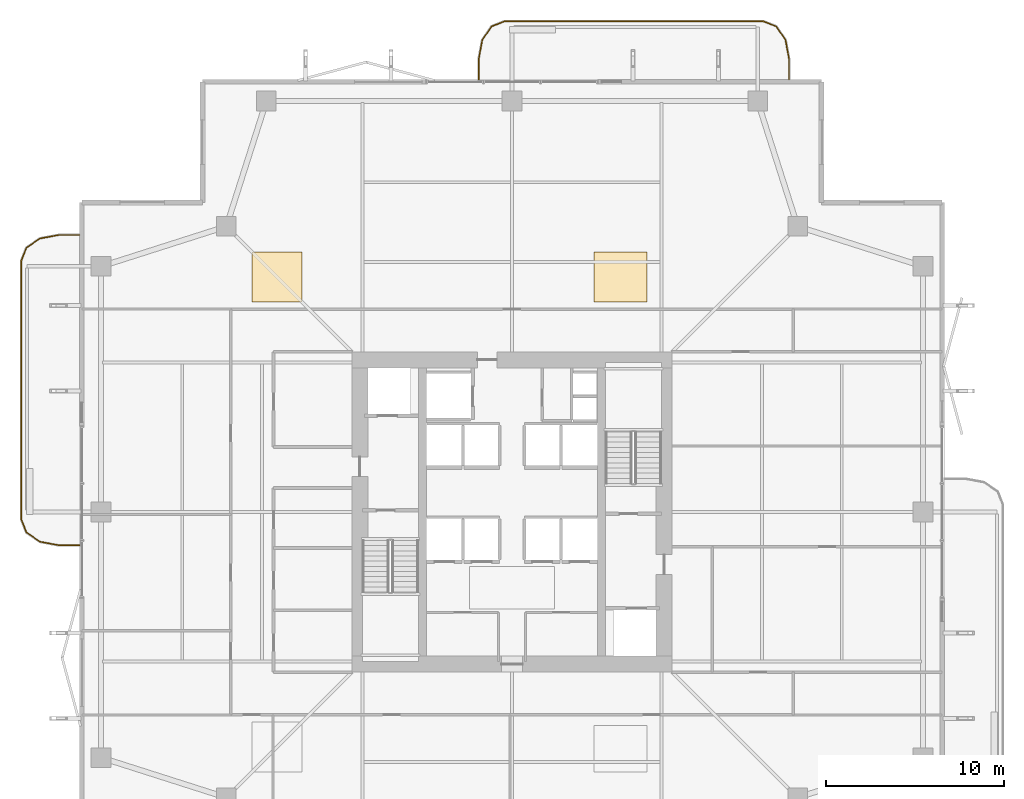
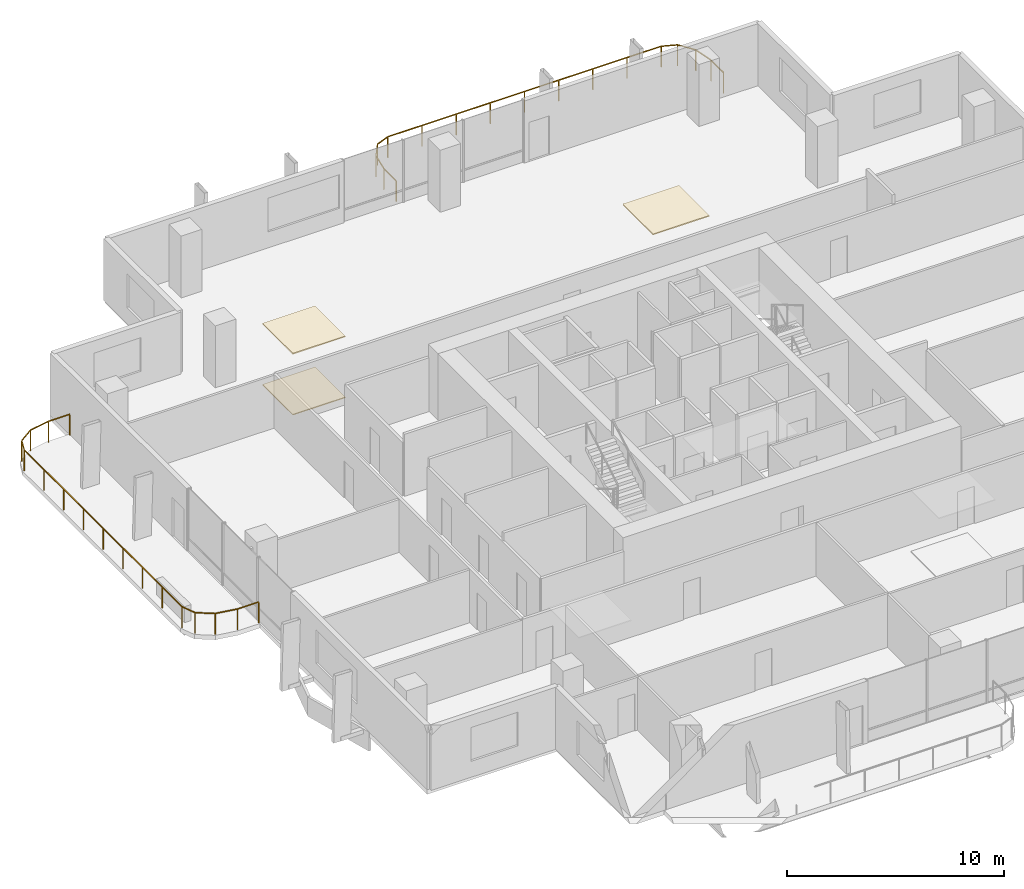
# One storey, part 25 of 25: 3 coverings, 2 railings.
"""IFC4 building model written with IfcOpenShell, lengths in metres."""

import ifcopenshell
import ifcopenshell.guid

model = None  # the IFC model being written
_history = None  # IfcOwnerHistory: only IFC2X3 demands one
_inside = {}  # id of a spatial element -> (the spatial element, [elements in it])
_under = {}  # id of a project, library or spatial element -> (it, [spatial elements below it])
_declared = {}  # id of a project -> (the project, [libraries it declares])
_typed = {}  # id of a type object -> (the type object, [elements of that type])
_made_of = {}  # id of a material, layer set ... -> (it, [elements and type objects made of it])


def new_model(schema):
    """Start an empty IFC model of exactly this schema.

    Asked for "IFC4X3", IfcOpenShell would pick the latest addendum, in which some entities
    have other attributes; the version numbers below select the first issue.
    IFC2X3 requires an IfcOwnerHistory on every rooted entity: one is made here for all.
    """
    global model, _history
    if schema == "IFC4X3":
        model = ifcopenshell.file(schema_version=(4, 3, 0, 0))
    else:
        model = ifcopenshell.file(schema=schema)
    _inside.clear()
    _under.clear()
    _declared.clear()
    _typed.clear()
    _made_of.clear()
    _history = None
    if model.schema == "IFC2X3":
        org = make("IfcOrganization", Name="unknown")
        user = make(
            "IfcPersonAndOrganization",
            ThePerson=make("IfcPerson", FamilyName="unknown"),
            TheOrganization=org,
        )
        app = make(
            "IfcApplication",
            ApplicationDeveloper=org,
            Version="unknown",
            ApplicationFullName="unknown",
            ApplicationIdentifier="unknown",
        )
        _history = make(
            "IfcOwnerHistory",
            OwningUser=user,
            OwningApplication=app,
            ChangeAction="ADDED",
            CreationDate=0,
        )
    return model


def make(cls, **values):
    """One entity of the class cls with the attributes given. An attribute that is None is left unset."""
    return model.create_entity(
        cls, **{name: value for name, value in values.items() if value is not None}
    )


def rooted(cls, **values):
    """An entity with a GlobalId (a new one), such as an element, a storey or a relation."""
    return make(cls, GlobalId=ifcopenshell.guid.new(), OwnerHistory=_history, **values)


def si_unit(unit_type, name, prefix=None):
    """IfcSIUnit, for example si_unit("LENGTHUNIT", "METRE", prefix="MILLI")."""
    return make("IfcSIUnit", UnitType=unit_type, Prefix=prefix, Name=name)


def assignment(units):
    """IfcUnitAssignment: the units of a project."""
    return None if units is None else make("IfcUnitAssignment", Units=units)


def point(xyz):
    """IfcCartesianPoint."""
    return None if xyz is None else make("IfcCartesianPoint", Coordinates=xyz)


def direction(xyz):
    """IfcDirection."""
    return None if xyz is None else make("IfcDirection", DirectionRatios=xyz)


def frame(location, z_axis=None, x_axis=None):
    """IfcAxis2Placement3D, a coordinate frame: its origin and axes. An axis left out is left unset."""
    return make(
        "IfcAxis2Placement3D",
        Location=point(location),
        Axis=direction(z_axis),
        RefDirection=direction(x_axis),
    )


def frame_2d(location, x_axis=None):
    """IfcAxis2Placement2D, a coordinate frame in the plane: its origin and x axis."""
    return make(
        "IfcAxis2Placement2D", Location=point(location), RefDirection=direction(x_axis)
    )


def origin():
    """The frame at (0, 0, 0) with its axes left unset."""
    return frame((0.0, 0.0, 0.0))


def origin_2d():
    """The frame at (0, 0) in the plane with its x axis left unset."""
    return frame_2d((0.0, 0.0))


def place(relative_to, where):
    """IfcLocalPlacement: puts the frame where relative to a parent placement (None: the world)."""
    return make(
        "IfcLocalPlacement", PlacementRelTo=relative_to, RelativePlacement=where
    )


def context(
    kind, dimensions, precision=None, world=None, true_north=None, identifier=None
):
    """IfcGeometricRepresentationContext, for example the 3D "Model" context."""
    return make(
        "IfcGeometricRepresentationContext",
        ContextIdentifier=identifier,
        ContextType=kind,
        CoordinateSpaceDimension=dimensions,
        Precision=precision,
        WorldCoordinateSystem=world,
        TrueNorth=true_north,
    )


def subcontext(parent, identifier, kind, view, scale=None):
    """IfcGeometricRepresentationSubContext, for example "Body" below "Model"."""
    return make(
        "IfcGeometricRepresentationSubContext",
        ContextIdentifier=identifier,
        ContextType=kind,
        ParentContext=parent,
        TargetScale=scale,
        TargetView=view,
    )


def project(units=None, contexts=None):
    """IfcProject with its units and contexts."""
    return rooted(
        "IfcProject",
        Name="project",
        RepresentationContexts=contexts,
        UnitsInContext=assignment(units),
    )


def spatial(cls, under=None, at=None, **own):
    """A site, building, storey or space (cls), placed at a placement, below another one or the project."""
    s = rooted(cls, ObjectPlacement=at, **own)
    if under is not None:
        _under.setdefault(under.id(), (under, []))[1].append(s)
    return s


def polyline(points):
    """IfcPolyline through the points."""
    return make("IfcPolyline", Points=[point(p) for p in points])


def profile(cls, at=None, kind="AREA", **sizes):
    """A parametric profile (cls). Its sizes go by their IFC names, for example OverallWidth=200.0."""
    return make(cls, ProfileType=kind, Position=at, **sizes)


def rectangle(**sizes):
    """IfcRectangleProfileDef."""
    return profile("IfcRectangleProfileDef", **sizes)


def outline(outer, holes=None, kind="AREA"):
    """IfcArbitraryClosedProfileDef: a profile drawn as a closed curve; with holes, ...WithVoids."""
    if holes is None:
        return make("IfcArbitraryClosedProfileDef", ProfileType=kind, OuterCurve=outer)
    return make(
        "IfcArbitraryProfileDefWithVoids",
        ProfileType=kind,
        OuterCurve=outer,
        InnerCurves=holes,
    )


def extrude(swept, where, along, depth):
    """IfcExtrudedAreaSolid: the profile swept, set in the frame where, extruded along a direction by depth."""
    return make(
        "IfcExtrudedAreaSolid",
        SweptArea=swept,
        Position=where,
        ExtrudedDirection=direction(along),
        Depth=depth,
    )


def shape(context_of_items, identifier, shape_type, items):
    """IfcShapeRepresentation: the items that make up one representation, for example the "Body"."""
    return make(
        "IfcShapeRepresentation",
        ContextOfItems=context_of_items,
        RepresentationIdentifier=identifier,
        RepresentationType=shape_type,
        Items=items,
    )


def material(Name=None, Category=None):
    """IfcMaterial."""
    return make("IfcMaterial", Name=Name, Category=Category)


def layer(
    of_material, thickness, ventilated=None, Name=None, Category=None, Priority=None
):
    """IfcMaterialLayer: one layer of a wall or slab, of a material (None: an air gap)."""
    return make(
        "IfcMaterialLayer",
        Material=of_material,
        LayerThickness=thickness,
        IsVentilated=ventilated,
        Name=Name,
        Category=Category,
        Priority=Priority,
    )


def layer_set(layers, Name=None):
    """IfcMaterialLayerSet."""
    return make("IfcMaterialLayerSet", MaterialLayers=layers, LayerSetName=Name)


def made_of(thing, what):
    """Note that an element or type object is made of a material, layer set ...; save() writes the relation."""
    if what is not None:
        _made_of.setdefault(what.id(), (what, []))[1].append(thing)
    return thing


def type_object(cls, material=None, **own):
    """A type object (cls), such as IfcWallType, which elements share."""
    return made_of(rooted(cls, **own), material)


def element(
    cls,
    number,
    at=None,
    inside=None,
    cuts=None,
    type_object=None,
    material=None,
    context=None,
    identifier="Body",
    shape_type=None,
    held_by="IfcProductDefinitionShape",
    body=None,
    shapes=None,
    **own,
):
    """One element of the class cls, such as IfcWall. Its Tag is "e" and its number.

    at: its placement. inside: the storey or other place that contains it. cuts: it is an
    opening in that element (IfcRelVoidsElement). A single representation is given by context,
    identifier, shape_type and body (its items); several are given by shapes. held_by: the class
    of the entity that holds the representations. save() writes the other relations.
    """
    e = rooted(cls, Tag="e%d" % number, ObjectPlacement=at, **own)
    if body is not None:
        shapes = [shape(context, identifier, shape_type, body)]
    if shapes is not None:
        e.Representation = make(held_by, Representations=shapes)
    if inside is not None:
        _inside.setdefault(inside.id(), (inside, []))[1].append(e)
    if cuts is not None:
        rooted(
            "IfcRelVoidsElement", RelatingBuildingElement=cuts, RelatedOpeningElement=e
        )
    if type_object is not None:
        _typed.setdefault(type_object.id(), (type_object, []))[1].append(e)
    return made_of(e, material)


def aggregate(whole, parts):
    """IfcRelAggregates: a whole, such as a stair, and the parts it consists of."""
    return rooted("IfcRelAggregates", RelatingObject=whole, RelatedObjects=parts)


def save(model, path):
    """Write the relations noted so far, then the file.

    IfcRelAggregates (storeys below a building ...), IfcRelContainedInSpatialStructure (elements
    in a storey), IfcRelDefinesByType, IfcRelAssociatesMaterial and IfcRelDeclares: one each for
    every whole, place, type object, material and project.
    """
    for whole, parts in _under.values():
        aggregate(whole, parts)
    for where, things in _inside.values():
        rooted(
            "IfcRelContainedInSpatialStructure",
            RelatedElements=things,
            RelatingStructure=where,
        )
    for kind, things in _typed.values():
        rooted("IfcRelDefinesByType", RelatedObjects=things, RelatingType=kind)
    for what, things in _made_of.values():
        rooted("IfcRelAssociatesMaterial", RelatedObjects=things, RelatingMaterial=what)
    for by, libraries in _declared.values():
        rooted("IfcRelDeclares", RelatingContext=by, RelatedDefinitions=libraries)
    model.write(path)


model = new_model("IFC4")

# Units and contexts
model_context = context("Model", 3, precision=1e-05, world=origin(), true_north=direction((0.0, 1.0)))
body_context = subcontext(model_context, "Body", "Model", "MODEL_VIEW")
ifc_project = project(units=[si_unit("LENGTHUNIT", "METRE"), si_unit("AREAUNIT", "SQUARE_METRE"), si_unit("VOLUMEUNIT", "CUBIC_METRE"), si_unit("PLANEANGLEUNIT", "RADIAN"), si_unit("MASSUNIT", "GRAM", prefix="KILO")], contexts=[model_context])

# Site, building, storey
site_placement = place(None, origin())
site = spatial("IfcSite", under=ifc_project, at=site_placement, CompositionType="ELEMENT")
building_placement = place(site_placement, origin())
building = spatial("IfcBuilding", under=site, at=building_placement, Name="Belovzor Exchange Tower", CompositionType="ELEMENT")
storey_placement = place(building_placement, frame((0.0, 0.0, 160.800048828125)))
storey = spatial("IfcBuildingStorey", under=building, at=storey_placement, Name="L39", CompositionType="ELEMENT", Elevation=160.800048828125)

# Railings
ifc_material_1 = material(Name="Stainless Steel and Laminated Safety Glass", Category="steel")
railing_type = type_object("IfcRailingType", Name="Laminated Glass & Stainless Steel Balcony Balustrade 1200", PredefinedType="BALUSTRADE", material=ifc_material_1)
railing_1_placement = place(storey_placement, frame((44.3701171875, 53.110107421875, 0.0)))
element("IfcRailing", 1, at=railing_1_placement, inside=storey, type_object=railing_type, Name="GR-1 Balcony Balustrade L39 North", PredefinedType="BALUSTRADE", context=body_context, shape_type="SweptSolid", body=[
    extrude(rectangle(XDim=0.048095703125, YDim=0.048095703125, at=origin_2d()), frame((0.0, 0.0, 1.17578125), z_axis=(0.0, 1.0, 0.0), x_axis=(-1.0, 0.0, 0.0)), (0.0, 0.0, 1.0), 1.1328125),
    extrude(rectangle(XDim=0.048095703125, YDim=0.048095703125, at=origin_2d()), frame((0.0, 1.1328125, 1.17578125), z_axis=(-0.180083182347, 0.983651385113, 0.0), x_axis=(-0.983651385113, -0.180083182347, 0.0)), (0.0, 0.0, 1.0), 1.093994140625),
    extrude(rectangle(XDim=0.048095703125, YDim=0.048095703125, at=origin_2d()), frame((-0.197021484375, 2.208984375, 1.17578125), z_axis=(-0.56294695933, 0.826493025367, 0.0), x_axis=(-0.826493025367, -0.56294695933, 0.0)), (0.0, 0.0, 1.0), 0.932861328125),
    extrude(rectangle(XDim=0.048095703125, YDim=0.048095703125, at=origin_2d()), frame((-0.72216796875, 2.97998046875, 1.17578125), z_axis=(-0.930766990125, 0.365612923861, 0.0), x_axis=(-0.365612923861, -0.930766990125, 0.0)), (0.0, 0.0, 1.0), 0.765869140625),
    extrude(rectangle(XDim=0.048095703125, YDim=0.048095703125, at=origin_2d()), frame((-1.43505859375, 3.260009765625, 1.17578125), z_axis=(-1.0, 0.0, 0.0), x_axis=(0.0, -1.0, 0.0)), (0.0, 0.0, 1.0), 14.570068359375),
    extrude(rectangle(XDim=0.048095703125, YDim=0.048095703125, at=origin_2d()), frame((-16.005126953125, 3.260009765625, 1.17578125), z_axis=(-0.930766990125, -0.365612923861, 0.0), x_axis=(0.365612923861, -0.930766990125, 0.0)), (0.0, 0.0, 1.0), 0.765869140625),
    extrude(rectangle(XDim=0.048095703125, YDim=0.048095703125, at=origin_2d()), frame((-16.718017578125, 2.97998046875, 1.17578125), z_axis=(-0.56294695933, -0.826493025367, 0.0), x_axis=(0.826493025367, -0.56294695933, 0.0)), (0.0, 0.0, 1.0), 0.932861328125),
    extrude(rectangle(XDim=0.048095703125, YDim=0.048095703125, at=origin_2d()), frame((-17.2431640625, 2.208984375, 1.17578125), z_axis=(-0.180083182347, -0.983651385113, 0.0), x_axis=(0.983651385113, -0.180083182347, 0.0)), (0.0, 0.0, 1.0), 1.093994140625),
    extrude(rectangle(XDim=0.048095703125, YDim=0.048095703125, at=origin_2d()), frame((-17.440185546875, 1.1328125, 1.17578125), z_axis=(0.0, -1.0, 0.0), x_axis=(1.0, 0.0, 0.0)), (0.0, 0.0, 1.0), 1.1328125),
    extrude(rectangle(XDim=0.0419921875, YDim=0.0419921875, at=origin_2d()), origin(), (0.0, 0.0, 1.0), 1.15185546875),
    extrude(rectangle(XDim=0.0419921875, YDim=0.0419921875, at=origin_2d()), frame((0.0, 1.1328125, 0.0)), (0.0, 0.0, 1.0), 1.15185546875),
    extrude(rectangle(XDim=0.0419921875, YDim=0.0419921875, at=origin_2d()), frame((-0.197021484375, 2.208984375, 0.0)), (0.0, 0.0, 1.0), 1.15185546875),
    extrude(rectangle(XDim=0.0419921875, YDim=0.0419921875, at=origin_2d()), frame((-0.72216796875, 2.97998046875, 0.0)), (0.0, 0.0, 1.0), 1.15185546875),
    extrude(rectangle(XDim=0.0419921875, YDim=0.0419921875, at=origin_2d()), frame((-1.43505859375, 3.260009765625, 0.0)), (0.0, 0.0, 1.0), 1.15185546875),
    extrude(rectangle(XDim=0.0419921875, YDim=0.0419921875, at=origin_2d()), frame((-3.25634765625, 3.260009765625, 0.0)), (0.0, 0.0, 1.0), 1.15185546875),
    extrude(rectangle(XDim=0.0419921875, YDim=0.0419921875, at=origin_2d()), frame((-5.07763671875, 3.260009765625, 0.0)), (0.0, 0.0, 1.0), 1.15185546875),
    extrude(rectangle(XDim=0.0419921875, YDim=0.0419921875, at=origin_2d()), frame((-6.89892578125, 3.260009765625, 0.0)), (0.0, 0.0, 1.0), 1.15185546875),
    extrude(rectangle(XDim=0.0419921875, YDim=0.0419921875, at=origin_2d()), frame((-8.72021484375, 3.260009765625, 0.0)), (0.0, 0.0, 1.0), 1.15185546875),
    extrude(rectangle(XDim=0.0419921875, YDim=0.0419921875, at=origin_2d()), frame((-10.541259765625, 3.260009765625, 0.0)), (0.0, 0.0, 1.0), 1.15185546875),
    extrude(rectangle(XDim=0.0419921875, YDim=0.0419921875, at=origin_2d()), frame((-12.362548828125, 3.260009765625, 0.0)), (0.0, 0.0, 1.0), 1.15185546875),
    extrude(rectangle(XDim=0.0419921875, YDim=0.0419921875, at=origin_2d()), frame((-14.183837890625, 3.260009765625, 0.0)), (0.0, 0.0, 1.0), 1.15185546875),
    extrude(rectangle(XDim=0.0419921875, YDim=0.0419921875, at=origin_2d()), frame((-16.005126953125, 3.260009765625, 0.0)), (0.0, 0.0, 1.0), 1.15185546875),
    extrude(rectangle(XDim=0.0419921875, YDim=0.0419921875, at=origin_2d()), frame((-16.718017578125, 2.97998046875, 0.0)), (0.0, 0.0, 1.0), 1.15185546875),
    extrude(rectangle(XDim=0.0419921875, YDim=0.0419921875, at=origin_2d()), frame((-17.2431640625, 2.208984375, 0.0)), (0.0, 0.0, 1.0), 1.15185546875),
    extrude(rectangle(XDim=0.0419921875, YDim=0.0419921875, at=origin_2d()), frame((-17.440185546875, 1.1328125, 0.0)), (0.0, 0.0, 1.0), 1.15185546875),
    extrude(rectangle(XDim=0.0419921875, YDim=0.0419921875, at=origin_2d()), frame((-17.440185546875, 0.0, 0.0)), (0.0, 0.0, 1.0), 1.15185546875),
])
railing_2_placement = place(storey_placement, frame((4.489990234375, 44.3701171875, 0.0)))
element("IfcRailing", 2, at=railing_2_placement, inside=storey, type_object=railing_type, Name="GR-1 Balcony Balustrade L39 West", PredefinedType="BALUSTRADE", context=body_context, shape_type="SweptSolid", body=[
    extrude(rectangle(XDim=0.048095703125, YDim=0.048095703125, at=origin_2d()), frame((0.0, 0.0, 1.17578125), z_axis=(-1.0, 0.0, 0.0), x_axis=(0.0, -1.0, 0.0)), (0.0, 0.0, 1.0), 1.133056640625),
    extrude(rectangle(XDim=0.048095703125, YDim=0.048095703125, at=origin_2d()), frame((-1.133056640625, 0.0, 1.17578125), z_axis=(-0.983644145941, -0.180122719713, 0.0), x_axis=(0.180122719713, -0.983644145941, 0.0)), (0.0, 0.0, 1.0), 1.09375),
    extrude(rectangle(XDim=0.048095703125, YDim=0.048095703125, at=origin_2d()), frame((-2.208984375, -0.197021484375, 1.17578125), z_axis=(-0.826493025367, -0.56294695933, 0.0), x_axis=(0.56294695933, -0.826493025367, 0.0)), (0.0, 0.0, 1.0), 0.932861328125),
    extrude(rectangle(XDim=0.048095703125, YDim=0.048095703125, at=origin_2d()), frame((-2.97998046875, -0.72216796875, 1.17578125), z_axis=(-0.365612923861, -0.930766990125, 0.0), x_axis=(0.930766990125, -0.365612923861, 0.0)), (0.0, 0.0, 1.0), 0.765869140625),
    extrude(rectangle(XDim=0.048095703125, YDim=0.048095703125, at=origin_2d()), frame((-3.260009765625, -1.43505859375, 1.17578125), z_axis=(0.0, -1.0, 0.0), x_axis=(1.0, 0.0, 0.0)), (0.0, 0.0, 1.0), 14.570068359375),
    extrude(rectangle(XDim=0.048095703125, YDim=0.048095703125, at=origin_2d()), frame((-3.260009765625, -16.005126953125, 1.17578125), z_axis=(0.365612923861, -0.930766990125, 0.0), x_axis=(0.930766990125, 0.365612923861, 0.0)), (0.0, 0.0, 1.0), 0.765869140625),
    extrude(rectangle(XDim=0.048095703125, YDim=0.048095703125, at=origin_2d()), frame((-2.97998046875, -16.718017578125, 1.17578125), z_axis=(0.826493025367, -0.56294695933, 0.0), x_axis=(0.56294695933, 0.826493025367, 0.0)), (0.0, 0.0, 1.0), 0.932861328125),
    extrude(rectangle(XDim=0.048095703125, YDim=0.048095703125, at=origin_2d()), frame((-2.208984375, -17.2431640625, 1.17578125), z_axis=(0.983644145941, -0.180122719713, 0.0), x_axis=(0.180122719713, 0.983644145941, 0.0)), (0.0, 0.0, 1.0), 1.09375),
    extrude(rectangle(XDim=0.048095703125, YDim=0.048095703125, at=origin_2d()), frame((-1.133056640625, -17.440185546875, 1.17578125), z_axis=(1.0, 0.0, 0.0), x_axis=(0.0, 1.0, 0.0)), (0.0, 0.0, 1.0), 1.133056640625),
    extrude(rectangle(XDim=0.0419921875, YDim=0.0419921875, at=origin_2d()), origin(), (0.0, 0.0, 1.0), 1.15185546875),
    extrude(rectangle(XDim=0.0419921875, YDim=0.0419921875, at=origin_2d()), frame((-1.133056640625, 0.0, 0.0)), (0.0, 0.0, 1.0), 1.15185546875),
    extrude(rectangle(XDim=0.0419921875, YDim=0.0419921875, at=origin_2d()), frame((-2.208984375, -0.197021484375, 0.0)), (0.0, 0.0, 1.0), 1.15185546875),
    extrude(rectangle(XDim=0.0419921875, YDim=0.0419921875, at=origin_2d()), frame((-2.97998046875, -0.72216796875, 0.0)), (0.0, 0.0, 1.0), 1.15185546875),
    extrude(rectangle(XDim=0.0419921875, YDim=0.0419921875, at=origin_2d()), frame((-3.260009765625, -1.43505859375, 0.0)), (0.0, 0.0, 1.0), 1.15185546875),
    extrude(rectangle(XDim=0.0419921875, YDim=0.0419921875, at=origin_2d()), frame((-3.260009765625, -3.25634765625, 0.0)), (0.0, 0.0, 1.0), 1.15185546875),
    extrude(rectangle(XDim=0.0419921875, YDim=0.0419921875, at=origin_2d()), frame((-3.260009765625, -5.07763671875, 0.0)), (0.0, 0.0, 1.0), 1.15185546875),
    extrude(rectangle(XDim=0.0419921875, YDim=0.0419921875, at=origin_2d()), frame((-3.260009765625, -6.89892578125, 0.0)), (0.0, 0.0, 1.0), 1.15185546875),
    extrude(rectangle(XDim=0.0419921875, YDim=0.0419921875, at=origin_2d()), frame((-3.260009765625, -8.72021484375, 0.0)), (0.0, 0.0, 1.0), 1.15185546875),
    extrude(rectangle(XDim=0.0419921875, YDim=0.0419921875, at=origin_2d()), frame((-3.260009765625, -10.541259765625, 0.0)), (0.0, 0.0, 1.0), 1.15185546875),
    extrude(rectangle(XDim=0.0419921875, YDim=0.0419921875, at=origin_2d()), frame((-3.260009765625, -12.362548828125, 0.0)), (0.0, 0.0, 1.0), 1.15185546875),
    extrude(rectangle(XDim=0.0419921875, YDim=0.0419921875, at=origin_2d()), frame((-3.260009765625, -14.183837890625, 0.0)), (0.0, 0.0, 1.0), 1.15185546875),
    extrude(rectangle(XDim=0.0419921875, YDim=0.0419921875, at=origin_2d()), frame((-3.260009765625, -16.005126953125, 0.0)), (0.0, 0.0, 1.0), 1.15185546875),
    extrude(rectangle(XDim=0.0419921875, YDim=0.0419921875, at=origin_2d()), frame((-2.97998046875, -16.718017578125, 0.0)), (0.0, 0.0, 1.0), 1.15185546875),
    extrude(rectangle(XDim=0.0419921875, YDim=0.0419921875, at=origin_2d()), frame((-2.208984375, -17.2431640625, 0.0)), (0.0, 0.0, 1.0), 1.15185546875),
    extrude(rectangle(XDim=0.0419921875, YDim=0.0419921875, at=origin_2d()), frame((-1.133056640625, -17.440185546875, 0.0)), (0.0, 0.0, 1.0), 1.15185546875),
    extrude(rectangle(XDim=0.0419921875, YDim=0.0419921875, at=origin_2d()), frame((0.0, -17.440185546875, 0.0)), (0.0, 0.0, 1.0), 1.15185546875),
])

# Coverings
ifc_material_2 = material(Name="Perforated Powder-Coated Aluminium", Category="aluminium")
ifc_layer_1 = layer(ifc_material_2, 0.06005859375)
ifc_layer_set_1 = layer_set([ifc_layer_1], Name="Perforated Powder-Coated Aluminium")
covering_type_1 = type_object("IfcCoveringType", Name="Perforated Acoustic Metal Tile Suspended Ceiling 60", PredefinedType="CEILING", material=ifc_layer_set_1)
covering_1_placement = place(storey_placement, frame((0.0, 0.0, 3.43505859375)))
element("IfcCovering", 3, at=covering_1_placement, inside=storey, type_object=covering_type_1, Name="CLG-AC60 Suspended Ceiling CLG-L39-Z2", PredefinedType="CEILING", context=body_context, shape_type="SweptSolid", body=[
    extrude(outline(polyline([(33.39990234375, 40.60009765625), (36.39990234375, 40.60009765625), (36.39990234375, 43.39990234375), (33.39990234375, 43.39990234375), (33.39990234375, 40.60009765625)])), origin(), (0.0, 0.0, 1.0), 0.059814453125),
])
covering_2_placement = place(storey_placement, frame((0.0, 0.0, 3.43505859375)))
element("IfcCovering", 4, at=covering_2_placement, inside=storey, type_object=covering_type_1, Name="CLG-AC60 Suspended Ceiling CLG-L39-Z3", PredefinedType="CEILING", context=body_context, shape_type="SweptSolid", body=[
    extrude(outline(polyline([(14.199951171875, 40.60009765625), (17.0, 40.60009765625), (17.0, 43.39990234375), (14.199951171875, 43.39990234375), (14.199951171875, 40.60009765625)])), origin(), (0.0, 0.0, 1.0), 0.059814453125),
])
ifc_material_3 = material(Name="Polished Natural Granite Tile", Category="masonry")
ifc_layer_2 = layer(ifc_material_3, 0.050048828125)
ifc_layer_set_2 = layer_set([ifc_layer_2], Name="Polished Natural Granite Tile")
covering_type_2 = type_object("IfcCoveringType", Name="Polished Karelian Granite & Raised Access Floor Finish 50", PredefinedType="FLOORING", material=ifc_layer_set_2)
covering_3_placement = place(storey_placement, origin())
element("IfcCovering", 5, at=covering_3_placement, inside=storey, type_object=covering_type_2, Name="FLR-GR50 Floor Finish FLR-L39-Z3", PredefinedType="FLOORING", context=body_context, shape_type="SweptSolid", body=[
    extrude(outline(polyline([(14.199951171875, 40.60009765625), (17.0, 40.60009765625), (17.0, 43.39990234375), (14.199951171875, 43.39990234375), (14.199951171875, 40.60009765625)])), origin(), (0.0, 0.0, 1.0), 0.050048828125),
])

save(model, "model.ifc")
